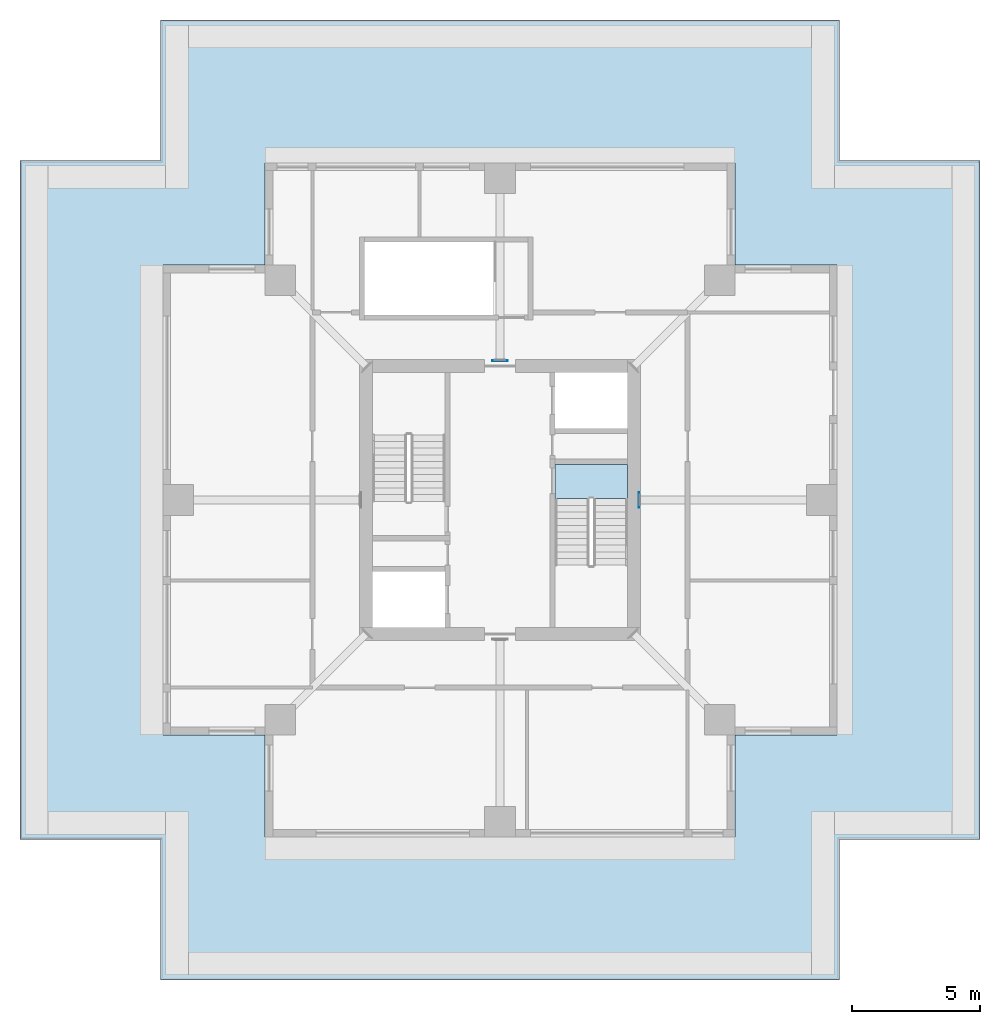
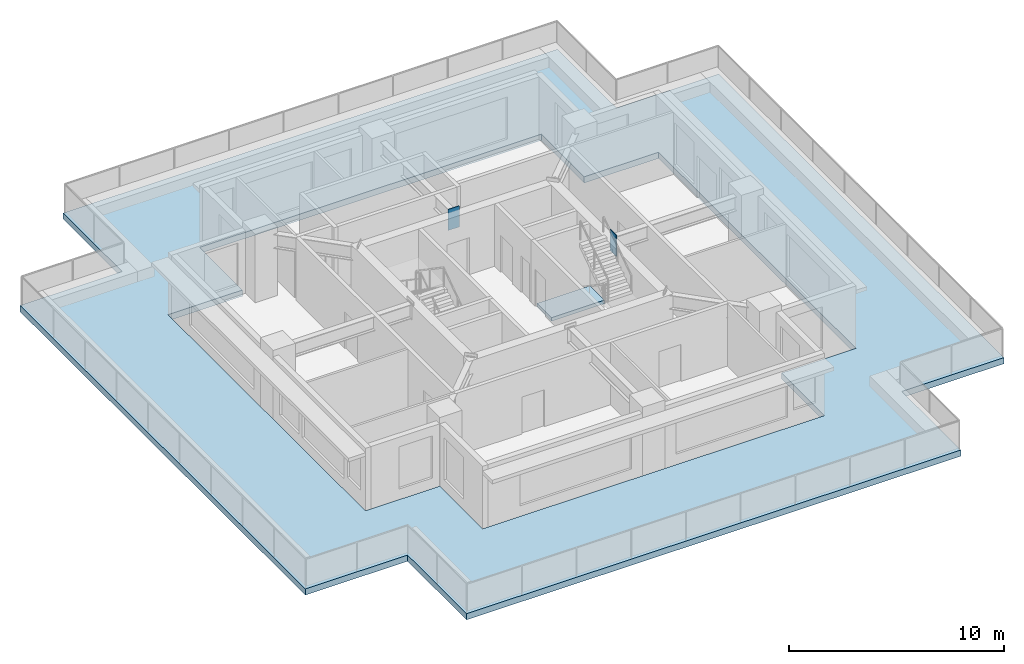
# One storey, part 2 of 8: 2 plates, 2 slabs, 1 element without a shape of its own.
"""IFC4 building model written with IfcOpenShell, lengths in metres."""

from ifc_helpers import new_model, si_unit, direction, frame, origin, origin_2d, place, context, subcontext, project, spatial, polyline, rectangle, outline, extrude, material, layer, layer_set, type_object, element, aggregate, save


model = new_model("IFC4")

# Units and contexts
model_context = context("Model", 3, precision=1e-05, world=origin(), true_north=direction((0.0, 1.0)))
body_context = subcontext(model_context, "Body", "Model", "MODEL_VIEW")
ifc_project = project(units=[si_unit("LENGTHUNIT", "METRE"), si_unit("AREAUNIT", "SQUARE_METRE"), si_unit("VOLUMEUNIT", "CUBIC_METRE"), si_unit("PLANEANGLEUNIT", "RADIAN"), si_unit("MASSUNIT", "GRAM", prefix="KILO")], contexts=[model_context])

# Site, building, storey
site_placement = place(None, origin())
site = spatial("IfcSite", under=ifc_project, at=site_placement, CompositionType="ELEMENT")
building_placement = place(site_placement, origin())
building = spatial("IfcBuilding", under=site, at=building_placement, Name="Khepri Terraces", CompositionType="ELEMENT")
storey_placement = place(building_placement, frame((0.0, 0.0, 312.300048828125)))
storey = spatial("IfcBuildingStorey", under=building, at=storey_placement, Name="L75", CompositionType="ELEMENT", Elevation=312.300048828125)

# Plates
ifc_material_1 = material(Name="Steel S355", Category="steel")
ifc_layer_1 = layer(ifc_material_1, 0.030029296875, Name="Steel S355", Category="steel")
ifc_layer_set_1 = layer_set([ifc_layer_1], Name="Steel S355")
plate_type = type_object("IfcPlateType", Name="Cast-in plate 1200x600x30", PredefinedType="USERDEFINED", material=ifc_layer_set_1)
for number, where, z_axis, x_axis, name in (
    (1, (5.449951171875, 0.0, 2.5498046875), (0.0, 0.0, 1.0), (1.0, 0.0, 0.0), "CAST-IN PLATE CG-L75-E MID wall A"),
    (2, (0.0, 5.449951171875, 2.5498046875), (0.0, 0.0, 1.0), (0.0, 1.0, 0.0), "CAST-IN PLATE CG-L75-N MID wall A"),
):
    element("IfcPlate", number, at=place(storey_placement, frame(where, z_axis=z_axis, x_axis=x_axis)), inside=storey, type_object=plate_type, Name=name, ObjectType="CAST-IN PLATE", PredefinedType="USERDEFINED", context=body_context, shape_type="SweptSolid", body=[
        extrude(rectangle(XDim=0.030029296875, YDim=0.60009765625, at=origin_2d()), origin(), (0.0, 0.0, 1.0), 1.199951171875),
    ])

# Slab
ifc_material_2 = material(Name="Concrete C40/50", Category="concrete")
ifc_layer_2 = layer(ifc_material_2, 0.35009765625, Name="Concrete C40/50", Category="concrete")
ifc_layer_set_2 = layer_set([ifc_layer_2], Name="Concrete C40/50")
slab_type_1 = type_object("IfcSlabType", Name="Crown roof slab 350", PredefinedType="ROOF", material=ifc_layer_set_2)
slab_1_placement = place(storey_placement, frame((0.0, 0.0, -0.35009765625)))
element("IfcSlab", 3, at=slab_1_placement, inside=storey, type_object=slab_type_1, Name="Roof slab R01 below L75", PredefinedType="ROOF", context=body_context, shape_type="SweptSolid", body=[
    extrude(outline(polyline([(-18.800048828125, -13.199951171875), (-18.800048828125, 13.199951171875), (-18.800048828125, 13.300048828125), (-13.300048828125, 13.300048828125), (-13.300048828125, 18.800048828125), (13.300048828125, 18.800048828125), (13.300048828125, 13.300048828125), (18.800048828125, 13.300048828125), (18.800048828125, 13.199951171875), (18.800048828125, -13.199951171875), (18.800048828125, -13.300048828125), (13.300048828125, -13.300048828125), (13.300048828125, -18.800048828125), (-13.300048828125, -18.800048828125), (-13.300048828125, -13.300048828125), (-18.800048828125, -13.300048828125), (-18.800048828125, -13.199951171875)]), holes=[polyline([(-13.199951171875, -9.199951171875), (-9.199951171875, -9.199951171875), (-9.199951171875, -13.199951171875), (9.199951171875, -13.199951171875), (9.199951171875, -9.199951171875), (13.199951171875, -9.199951171875), (13.199951171875, 9.199951171875), (9.199951171875, 9.199951171875), (9.199951171875, 13.199951171875), (-9.199951171875, 13.199951171875), (-9.199951171875, 9.199951171875), (-13.199951171875, 9.199951171875), (-13.199951171875, -9.199951171875)])]), origin(), (0.0, 0.0, 1.0), 0.35009765625),
])

# Stair, slab
stair_type = type_object("IfcStairType", Name="STAIR-RC-22R", PredefinedType="HALF_TURN_STAIR", material=ifc_material_2)
stair_placement = place(storey_placement, origin())
stair = element("IfcStair", 4, at=stair_placement, inside=storey, type_object=stair_type, Name="L75 Exit Stair ST-2", PredefinedType="HALF_TURN_STAIR")
ifc_layer_3 = layer(ifc_material_2, 0.199951171875, Name="Concrete C40/50", Category="concrete")
ifc_layer_set_3 = layer_set([ifc_layer_3], Name="Concrete C40/50")
slab_type_2 = type_object("IfcSlabType", Name="SLB-CORE-LANDING", PredefinedType="LANDING", material=ifc_layer_set_3)
slab_2_placement = place(storey_placement, frame((0.0, 0.0, -0.199951171875)))
slab_2 = element("IfcSlab", 5, at=slab_2_placement, type_object=slab_type_2, Name="ST-2 landing 1", PredefinedType="LANDING", context=body_context, shape_type="SweptSolid", body=[
    extrude(outline(polyline([(2.14990234375, 1.39990234375), (2.14990234375, 0.050048828125), (5.0, 0.050048828125), (5.0, 1.39990234375), (2.14990234375, 1.39990234375)])), origin(), (0.0, 0.0, 1.0), 0.199951171875),
])
aggregate(stair, [slab_2])

save(model, "model.ifc")
